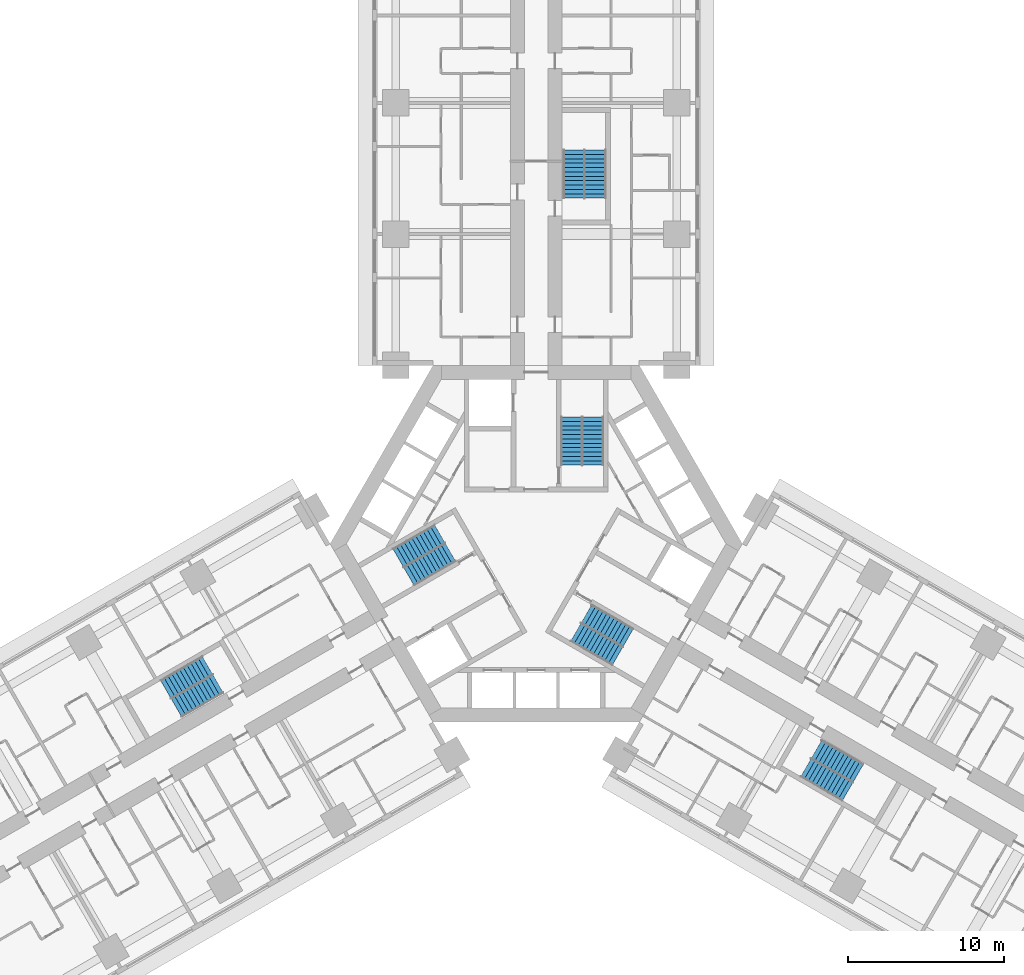
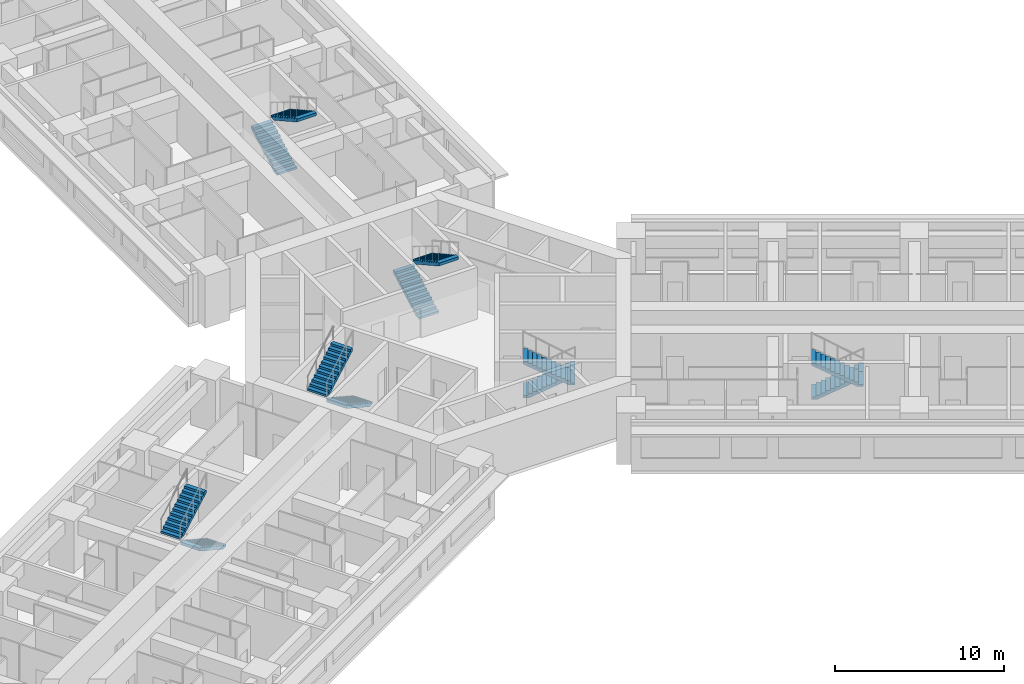
# One storey, part 15 of 16: 12 stair flights, 6 elements without a shape of their own.
"""IFC4 building model written with IfcOpenShell, lengths in metres."""

from ifc_helpers import new_model, si_unit, direction, frame, origin, place, context, subcontext, project, spatial, polyline, outline, extrude, material, type_object, element, aggregate, save


model = new_model("IFC4")

# Units and contexts
model_context = context("Model", 3, precision=1e-05, world=origin(), true_north=direction((0.0, 1.0)))
body_context = subcontext(model_context, "Body", "Model", "MODEL_VIEW")
ifc_project = project(units=[si_unit("LENGTHUNIT", "METRE"), si_unit("AREAUNIT", "SQUARE_METRE"), si_unit("VOLUMEUNIT", "CUBIC_METRE"), si_unit("PLANEANGLEUNIT", "RADIAN"), si_unit("MASSUNIT", "GRAM", prefix="KILO")], contexts=[model_context])

# Site, building, storey
site_placement = place(None, origin())
site = spatial("IfcSite", under=ifc_project, at=site_placement, CompositionType="ELEMENT")
building_placement = place(site_placement, origin())
building = spatial("IfcBuilding", under=site, at=building_placement, Name="Impinga Residences", CompositionType="ELEMENT")
storey_placement = place(building_placement, frame((0.0, 0.0, 37.25)))
storey = spatial("IfcBuildingStorey", under=building, at=storey_placement, Name="L08", CompositionType="ELEMENT", Elevation=37.25)

# Stair, stair flights
ifc_material = material(Name="Concrete C40/50", Category="concrete")
stair_type_1 = type_object("IfcStairType", Name="STR core stair 3750 storey, 24 risers", PredefinedType="HALF_TURN_STAIR", material=ifc_material)
stair_1_placement = place(storey_placement, origin())
stair_1 = element("IfcStair", 1, at=stair_1_placement, inside=storey, type_object=stair_type_1, Name="Stair ST1 L08", PredefinedType="HALF_TURN_STAIR")
stair_flight_type = type_object("IfcStairFlightType", Name="SF 12 risers of 156", PredefinedType="STRAIGHT", material=ifc_material)
stair_flight_1_placement = place(storey_placement, frame((2.27490234375, 5.030029296875, 0.0), z_axis=(0.0, 0.0, 1.0), x_axis=(0.0, 1.0, 0.0)))
stair_flight_1 = element("IfcStairFlight", 2, at=stair_flight_1_placement, type_object=stair_flight_type, Name="ST1 flight 1", NumberOfRisers=12, NumberOfTreads=11, PredefinedType="STRAIGHT", RiserHeight=0.15625, TreadLength=0.28, context=body_context, shape_type="SweptSolid", body=[
    extrude(outline(polyline([(0.0, 0.0), (0.0, 0.15625), (0.280029296875, 0.15625), (0.280029296875, 0.3125), (0.56005859375, 0.3125), (0.56005859375, 0.46875), (0.840087890625, 0.46875), (0.840087890625, 0.625), (1.1201171875, 0.625), (1.1201171875, 0.78125), (1.39990234375, 0.78125), (1.39990234375, 0.9375), (1.679931640625, 0.9375), (1.679931640625, 1.09375), (1.9599609375, 1.09375), (1.9599609375, 1.25), (2.239990234375, 1.25), (2.239990234375, 1.40625), (2.52001953125, 1.40625), (2.52001953125, 1.5625), (2.800048828125, 1.5625), (2.800048828125, 1.71875), (3.080078125, 1.71875), (3.080078125, 1.875), (3.080078125, 1.5126953125), (0.369140625, 0.0), (0.0, 0.0)])), frame((0.0, 0.675048828125, 0.0), z_axis=(0.0, -1.0, 0.0), x_axis=(1.0, 0.0, 0.0)), (0.0, 0.0, 1.0), 1.35009765625),
])
stair_flight_2_placement = place(storey_placement, frame((3.625, 8.110107421875, 1.875), z_axis=(0.0, 0.0, 1.0), x_axis=(0.0, -1.0, 0.0)))
stair_flight_2 = element("IfcStairFlight", 3, at=stair_flight_2_placement, type_object=stair_flight_type, Name="ST1 flight 2", NumberOfRisers=12, NumberOfTreads=11, PredefinedType="STRAIGHT", RiserHeight=0.15625, TreadLength=0.28, context=body_context, shape_type="SweptSolid", body=[
    extrude(outline(polyline([(0.0, 0.0), (0.0, 0.15625), (0.280029296875, 0.15625), (0.280029296875, 0.3125), (0.56005859375, 0.3125), (0.56005859375, 0.46875), (0.840087890625, 0.46875), (0.840087890625, 0.625), (1.1201171875, 0.625), (1.1201171875, 0.78125), (1.39990234375, 0.78125), (1.39990234375, 0.9375), (1.679931640625, 0.9375), (1.679931640625, 1.09375), (1.9599609375, 1.09375), (1.9599609375, 1.25), (2.239990234375, 1.25), (2.239990234375, 1.40625), (2.52001953125, 1.40625), (2.52001953125, 1.5625), (2.800048828125, 1.5625), (2.800048828125, 1.71875), (3.080078125, 1.71875), (3.080078125, 1.875), (3.080078125, 1.5126953125), (0.369140625, 0.0), (0.0, 0.0)])), frame((0.0, 0.675048828125, 0.0), z_axis=(0.0, -1.0, 0.0), x_axis=(1.0, 0.0, 0.0)), (0.0, 0.0, 1.0), 1.35009765625),
])
aggregate(stair_1, [stair_flight_1, stair_flight_2])

stair_2_placement = place(storey_placement, origin())
stair_2 = element("IfcStair", 4, at=stair_2_placement, inside=storey, type_object=stair_type_1, Name="Stair ST2 L08", PredefinedType="HALF_TURN_STAIR")
stair_flight_3_placement = place(storey_placement, frame((-5.49365234375, -0.544677734375, 0.0), z_axis=(0.0, 0.0, 1.0), x_axis=(-0.866025403784, -0.5, 0.0)))
stair_flight_3 = element("IfcStairFlight", 5, at=stair_flight_3_placement, type_object=stair_flight_type, Name="ST2 flight 1", NumberOfRisers=12, NumberOfTreads=11, PredefinedType="STRAIGHT", RiserHeight=0.15625, TreadLength=0.28, context=body_context, shape_type="SweptSolid", body=[
    extrude(outline(polyline([(0.0, 0.0), (0.0, 0.15625), (0.280029296875, 0.15625), (0.280029296875, 0.3125), (0.56005859375, 0.3125), (0.56005859375, 0.46875), (0.840087890625, 0.46875), (0.840087890625, 0.625), (1.1201171875, 0.625), (1.1201171875, 0.78125), (1.39990234375, 0.78125), (1.39990234375, 0.9375), (1.679931640625, 0.9375), (1.679931640625, 1.09375), (1.9599609375, 1.09375), (1.9599609375, 1.25), (2.239990234375, 1.25), (2.239990234375, 1.40625), (2.52001953125, 1.40625), (2.52001953125, 1.5625), (2.800048828125, 1.5625), (2.800048828125, 1.71875), (3.080078125, 1.71875), (3.080078125, 1.875), (3.080078125, 1.5126953125), (0.369140625, 0.0), (0.0, 0.0)])), frame((0.0, 0.675048828125, 0.0), z_axis=(0.0, -1.0, 0.0), x_axis=(1.0, 0.0, 0.0)), (0.0, 0.0, 1.0), 1.35009765625),
])
stair_flight_4_placement = place(storey_placement, frame((-8.8359375, -0.915771484375, 1.875), z_axis=(0.0, 0.0, 1.0), x_axis=(0.866025403784, 0.5, 0.0)))
stair_flight_4 = element("IfcStairFlight", 6, at=stair_flight_4_placement, type_object=stair_flight_type, Name="ST2 flight 2", NumberOfRisers=12, NumberOfTreads=11, PredefinedType="STRAIGHT", RiserHeight=0.15625, TreadLength=0.28, context=body_context, shape_type="SweptSolid", body=[
    extrude(outline(polyline([(0.0, 0.0), (0.0, 0.15625), (0.280029296875, 0.15625), (0.280029296875, 0.3125), (0.56005859375, 0.3125), (0.56005859375, 0.46875), (0.840087890625, 0.46875), (0.840087890625, 0.625), (1.1201171875, 0.625), (1.1201171875, 0.78125), (1.39990234375, 0.78125), (1.39990234375, 0.9375), (1.679931640625, 0.9375), (1.679931640625, 1.09375), (1.9599609375, 1.09375), (1.9599609375, 1.25), (2.239990234375, 1.25), (2.239990234375, 1.40625), (2.52001953125, 1.40625), (2.52001953125, 1.5625), (2.800048828125, 1.5625), (2.800048828125, 1.71875), (3.080078125, 1.71875), (3.080078125, 1.875), (3.080078125, 1.5126953125), (0.369140625, 0.0), (0.0, 0.0)])), frame((0.0, 0.675048828125, 0.0), z_axis=(0.0, -1.0, 0.0), x_axis=(1.0, 0.0, 0.0)), (0.0, 0.0, 1.0), 1.35009765625),
])
aggregate(stair_2, [stair_flight_3, stair_flight_4])

stair_3_placement = place(storey_placement, origin())
stair_3 = element("IfcStair", 7, at=stair_3_placement, inside=storey, type_object=stair_type_1, Name="Stair ST3 L08", PredefinedType="HALF_TURN_STAIR")
stair_flight_5_placement = place(storey_placement, frame((3.218505859375, -4.485107421875, 0.0), z_axis=(0.0, 0.0, 1.0), x_axis=(0.866025403784, -0.5, 0.0)))
stair_flight_5 = element("IfcStairFlight", 8, at=stair_flight_5_placement, type_object=stair_flight_type, Name="ST3 flight 1", NumberOfRisers=12, NumberOfTreads=11, PredefinedType="STRAIGHT", RiserHeight=0.15625, TreadLength=0.28, context=body_context, shape_type="SweptSolid", body=[
    extrude(outline(polyline([(0.0, 0.0), (0.0, 0.15625), (0.280029296875, 0.15625), (0.280029296875, 0.3125), (0.56005859375, 0.3125), (0.56005859375, 0.46875), (0.840087890625, 0.46875), (0.840087890625, 0.625), (1.1201171875, 0.625), (1.1201171875, 0.78125), (1.39990234375, 0.78125), (1.39990234375, 0.9375), (1.679931640625, 0.9375), (1.679931640625, 1.09375), (1.9599609375, 1.09375), (1.9599609375, 1.25), (2.239990234375, 1.25), (2.239990234375, 1.40625), (2.52001953125, 1.40625), (2.52001953125, 1.5625), (2.800048828125, 1.5625), (2.800048828125, 1.71875), (3.080078125, 1.71875), (3.080078125, 1.875), (3.080078125, 1.5126953125), (0.369140625, 0.0), (0.0, 0.0)])), frame((0.0, 0.675048828125, 0.0), z_axis=(0.0, -1.0, 0.0), x_axis=(1.0, 0.0, 0.0)), (0.0, 0.0, 1.0), 1.35009765625),
])
stair_flight_6_placement = place(storey_placement, frame((5.2109375, -7.1943359375, 1.875), z_axis=(0.0, 0.0, 1.0), x_axis=(-0.866025403784, 0.5, 0.0)))
stair_flight_6 = element("IfcStairFlight", 9, at=stair_flight_6_placement, type_object=stair_flight_type, Name="ST3 flight 2", NumberOfRisers=12, NumberOfTreads=11, PredefinedType="STRAIGHT", RiserHeight=0.15625, TreadLength=0.28, context=body_context, shape_type="SweptSolid", body=[
    extrude(outline(polyline([(0.0, 0.0), (0.0, 0.15625), (0.280029296875, 0.15625), (0.280029296875, 0.3125), (0.56005859375, 0.3125), (0.56005859375, 0.46875), (0.840087890625, 0.46875), (0.840087890625, 0.625), (1.1201171875, 0.625), (1.1201171875, 0.78125), (1.39990234375, 0.78125), (1.39990234375, 0.9375), (1.679931640625, 0.9375), (1.679931640625, 1.09375), (1.9599609375, 1.09375), (1.9599609375, 1.25), (2.239990234375, 1.25), (2.239990234375, 1.40625), (2.52001953125, 1.40625), (2.52001953125, 1.5625), (2.800048828125, 1.5625), (2.800048828125, 1.71875), (3.080078125, 1.71875), (3.080078125, 1.875), (3.080078125, 1.5126953125), (0.369140625, 0.0), (0.0, 0.0)])), frame((0.0, 0.675048828125, 0.0), z_axis=(0.0, -1.0, 0.0), x_axis=(1.0, 0.0, 0.0)), (0.0, 0.0, 1.0), 1.35009765625),
])
aggregate(stair_3, [stair_flight_5, stair_flight_6])

stair_type_2 = type_object("IfcStairType", Name="STR wing stair 3750 storey, 24 risers", PredefinedType="HALF_TURN_STAIR", material=ifc_material)
stair_4_placement = place(storey_placement, origin())
stair_4 = element("IfcStair", 10, at=stair_4_placement, inside=storey, type_object=stair_type_2, Name="Stair WS1 L08", PredefinedType="HALF_TURN_STAIR")
stair_flight_7_placement = place(storey_placement, frame((2.425048828125, 22.131591796875, 0.0), z_axis=(0.0, 0.0, 1.0), x_axis=(0.0, 1.0, 0.0)))
stair_flight_7 = element("IfcStairFlight", 11, at=stair_flight_7_placement, type_object=stair_flight_type, Name="WS1 flight 1", NumberOfRisers=12, NumberOfTreads=11, PredefinedType="STRAIGHT", RiserHeight=0.15625, TreadLength=0.28, context=body_context, shape_type="SweptSolid", body=[
    extrude(outline(polyline([(0.0, 0.0), (0.0, 0.15625), (0.280029296875, 0.15625), (0.280029296875, 0.3125), (0.56005859375, 0.3125), (0.56005859375, 0.46875), (0.840087890625, 0.46875), (0.840087890625, 0.625), (1.1201171875, 0.625), (1.1201171875, 0.78125), (1.39990234375, 0.78125), (1.39990234375, 0.9375), (1.679931640625, 0.9375), (1.679931640625, 1.09375), (1.9599609375, 1.09375), (1.9599609375, 1.25), (2.239990234375, 1.25), (2.239990234375, 1.40625), (2.52001953125, 1.40625), (2.52001953125, 1.5625), (2.800048828125, 1.5625), (2.800048828125, 1.71875), (3.080078125, 1.71875), (3.080078125, 1.875), (3.080078125, 1.5126953125), (0.369140625, 0.0), (0.0, 0.0)])), frame((0.0, 0.675048828125, 0.0), z_axis=(0.0, -1.0, 0.0), x_axis=(1.0, 0.0, 0.0)), (0.0, 0.0, 1.0), 1.35009765625),
])
stair_flight_8_placement = place(storey_placement, frame((3.77490234375, 25.21142578125, 1.875), z_axis=(0.0, 0.0, 1.0), x_axis=(0.0, -1.0, 0.0)))
stair_flight_8 = element("IfcStairFlight", 12, at=stair_flight_8_placement, type_object=stair_flight_type, Name="WS1 flight 2", NumberOfRisers=12, NumberOfTreads=11, PredefinedType="STRAIGHT", RiserHeight=0.15625, TreadLength=0.28, context=body_context, shape_type="SweptSolid", body=[
    extrude(outline(polyline([(0.0, 0.0), (0.0, 0.15625), (0.280029296875, 0.15625), (0.280029296875, 0.3125), (0.56005859375, 0.3125), (0.56005859375, 0.46875), (0.840087890625, 0.46875), (0.840087890625, 0.625), (1.1201171875, 0.625), (1.1201171875, 0.78125), (1.39990234375, 0.78125), (1.39990234375, 0.9375), (1.679931640625, 0.9375), (1.679931640625, 1.09375), (1.9599609375, 1.09375), (1.9599609375, 1.25), (2.239990234375, 1.25), (2.239990234375, 1.40625), (2.52001953125, 1.40625), (2.52001953125, 1.5625), (2.800048828125, 1.5625), (2.800048828125, 1.71875), (3.080078125, 1.71875), (3.080078125, 1.875), (3.080078125, 1.5126953125), (0.369140625, 0.0), (0.0, 0.0)])), frame((0.0, 0.675048828125, 0.0), z_axis=(0.0, -1.0, 0.0), x_axis=(1.0, 0.0, 0.0)), (0.0, 0.0, 1.0), 1.35009765625),
])
aggregate(stair_4, [stair_flight_7, stair_flight_8])

stair_5_placement = place(storey_placement, origin())
stair_5 = element("IfcStair", 13, at=stair_5_placement, inside=storey, type_object=stair_type_2, Name="Stair WS2 L08", PredefinedType="HALF_TURN_STAIR")
stair_flight_9_placement = place(storey_placement, frame((-20.37890625, -8.965576171875, 0.0), z_axis=(0.0, 0.0, 1.0), x_axis=(-0.866025403784, -0.5, 0.0)))
stair_flight_9 = element("IfcStairFlight", 14, at=stair_flight_9_placement, type_object=stair_flight_type, Name="WS2 flight 1", NumberOfRisers=12, NumberOfTreads=11, PredefinedType="STRAIGHT", RiserHeight=0.15625, TreadLength=0.28, context=body_context, shape_type="SweptSolid", body=[
    extrude(outline(polyline([(0.0, 0.0), (0.0, 0.15625), (0.280029296875, 0.15625), (0.280029296875, 0.3125), (0.56005859375, 0.3125), (0.56005859375, 0.46875), (0.840087890625, 0.46875), (0.840087890625, 0.625), (1.1201171875, 0.625), (1.1201171875, 0.78125), (1.39990234375, 0.78125), (1.39990234375, 0.9375), (1.679931640625, 0.9375), (1.679931640625, 1.09375), (1.9599609375, 1.09375), (1.9599609375, 1.25), (2.239990234375, 1.25), (2.239990234375, 1.40625), (2.52001953125, 1.40625), (2.52001953125, 1.5625), (2.800048828125, 1.5625), (2.800048828125, 1.71875), (3.080078125, 1.71875), (3.080078125, 1.875), (3.080078125, 1.5126953125), (0.369140625, 0.0), (0.0, 0.0)])), frame((0.0, 0.675048828125, 0.0), z_axis=(0.0, -1.0, 0.0), x_axis=(1.0, 0.0, 0.0)), (0.0, 0.0, 1.0), 1.35009765625),
])
stair_flight_10_placement = place(storey_placement, frame((-23.721435546875, -9.33642578125, 1.875), z_axis=(0.0, 0.0, 1.0), x_axis=(0.866025403784, 0.5, 0.0)))
stair_flight_10 = element("IfcStairFlight", 15, at=stair_flight_10_placement, type_object=stair_flight_type, Name="WS2 flight 2", NumberOfRisers=12, NumberOfTreads=11, PredefinedType="STRAIGHT", RiserHeight=0.15625, TreadLength=0.28, context=body_context, shape_type="SweptSolid", body=[
    extrude(outline(polyline([(0.0, 0.0), (0.0, 0.15625), (0.280029296875, 0.15625), (0.280029296875, 0.3125), (0.56005859375, 0.3125), (0.56005859375, 0.46875), (0.840087890625, 0.46875), (0.840087890625, 0.625), (1.1201171875, 0.625), (1.1201171875, 0.78125), (1.39990234375, 0.78125), (1.39990234375, 0.9375), (1.679931640625, 0.9375), (1.679931640625, 1.09375), (1.9599609375, 1.09375), (1.9599609375, 1.25), (2.239990234375, 1.25), (2.239990234375, 1.40625), (2.52001953125, 1.40625), (2.52001953125, 1.5625), (2.800048828125, 1.5625), (2.800048828125, 1.71875), (3.080078125, 1.71875), (3.080078125, 1.875), (3.080078125, 1.5126953125), (0.369140625, 0.0), (0.0, 0.0)])), frame((0.0, 0.675048828125, 0.0), z_axis=(0.0, -1.0, 0.0), x_axis=(1.0, 0.0, 0.0)), (0.0, 0.0, 1.0), 1.35009765625),
])
aggregate(stair_5, [stair_flight_9, stair_flight_10])

stair_6_placement = place(storey_placement, origin())
stair_6 = element("IfcStair", 16, at=stair_6_placement, inside=storey, type_object=stair_type_2, Name="Stair WS3 L08", PredefinedType="HALF_TURN_STAIR")
stair_flight_11_placement = place(storey_placement, frame((17.953857421875, -13.165771484375, 0.0), z_axis=(0.0, 0.0, 1.0), x_axis=(0.866025403784, -0.5, 0.0)))
stair_flight_11 = element("IfcStairFlight", 17, at=stair_flight_11_placement, type_object=stair_flight_type, Name="WS3 flight 1", NumberOfRisers=12, NumberOfTreads=11, PredefinedType="STRAIGHT", RiserHeight=0.15625, TreadLength=0.28, context=body_context, shape_type="SweptSolid", body=[
    extrude(outline(polyline([(0.0, 0.0), (0.0, 0.15625), (0.280029296875, 0.15625), (0.280029296875, 0.3125), (0.56005859375, 0.3125), (0.56005859375, 0.46875), (0.840087890625, 0.46875), (0.840087890625, 0.625), (1.1201171875, 0.625), (1.1201171875, 0.78125), (1.39990234375, 0.78125), (1.39990234375, 0.9375), (1.679931640625, 0.9375), (1.679931640625, 1.09375), (1.9599609375, 1.09375), (1.9599609375, 1.25), (2.239990234375, 1.25), (2.239990234375, 1.40625), (2.52001953125, 1.40625), (2.52001953125, 1.5625), (2.800048828125, 1.5625), (2.800048828125, 1.71875), (3.080078125, 1.71875), (3.080078125, 1.875), (3.080078125, 1.5126953125), (0.369140625, 0.0), (0.0, 0.0)])), frame((0.0, 0.675048828125, 0.0), z_axis=(0.0, -1.0, 0.0), x_axis=(1.0, 0.0, 0.0)), (0.0, 0.0, 1.0), 1.35009765625),
])
stair_flight_12_placement = place(storey_placement, frame((19.9462890625, -15.875, 1.875), z_axis=(0.0, 0.0, 1.0), x_axis=(-0.866025403784, 0.5, 0.0)))
stair_flight_12 = element("IfcStairFlight", 18, at=stair_flight_12_placement, type_object=stair_flight_type, Name="WS3 flight 2", NumberOfRisers=12, NumberOfTreads=11, PredefinedType="STRAIGHT", RiserHeight=0.15625, TreadLength=0.28, context=body_context, shape_type="SweptSolid", body=[
    extrude(outline(polyline([(0.0, 0.0), (0.0, 0.15625), (0.280029296875, 0.15625), (0.280029296875, 0.3125), (0.56005859375, 0.3125), (0.56005859375, 0.46875), (0.840087890625, 0.46875), (0.840087890625, 0.625), (1.1201171875, 0.625), (1.1201171875, 0.78125), (1.39990234375, 0.78125), (1.39990234375, 0.9375), (1.679931640625, 0.9375), (1.679931640625, 1.09375), (1.9599609375, 1.09375), (1.9599609375, 1.25), (2.239990234375, 1.25), (2.239990234375, 1.40625), (2.52001953125, 1.40625), (2.52001953125, 1.5625), (2.800048828125, 1.5625), (2.800048828125, 1.71875), (3.080078125, 1.71875), (3.080078125, 1.875), (3.080078125, 1.5126953125), (0.369140625, 0.0), (0.0, 0.0)])), frame((0.0, 0.675048828125, 0.0), z_axis=(0.0, -1.0, 0.0), x_axis=(1.0, 0.0, 0.0)), (0.0, 0.0, 1.0), 1.35009765625),
])
aggregate(stair_6, [stair_flight_11, stair_flight_12])

save(model, "model.ifc")
